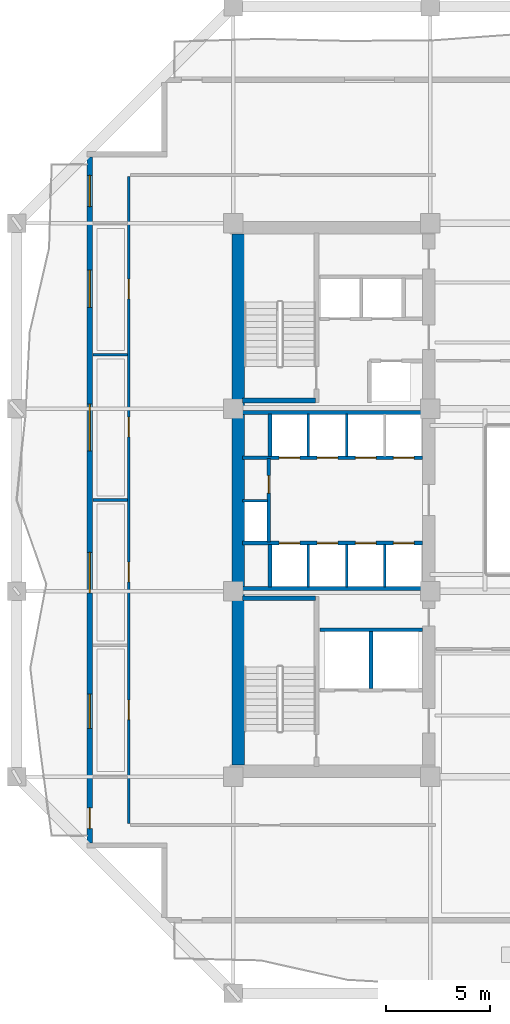
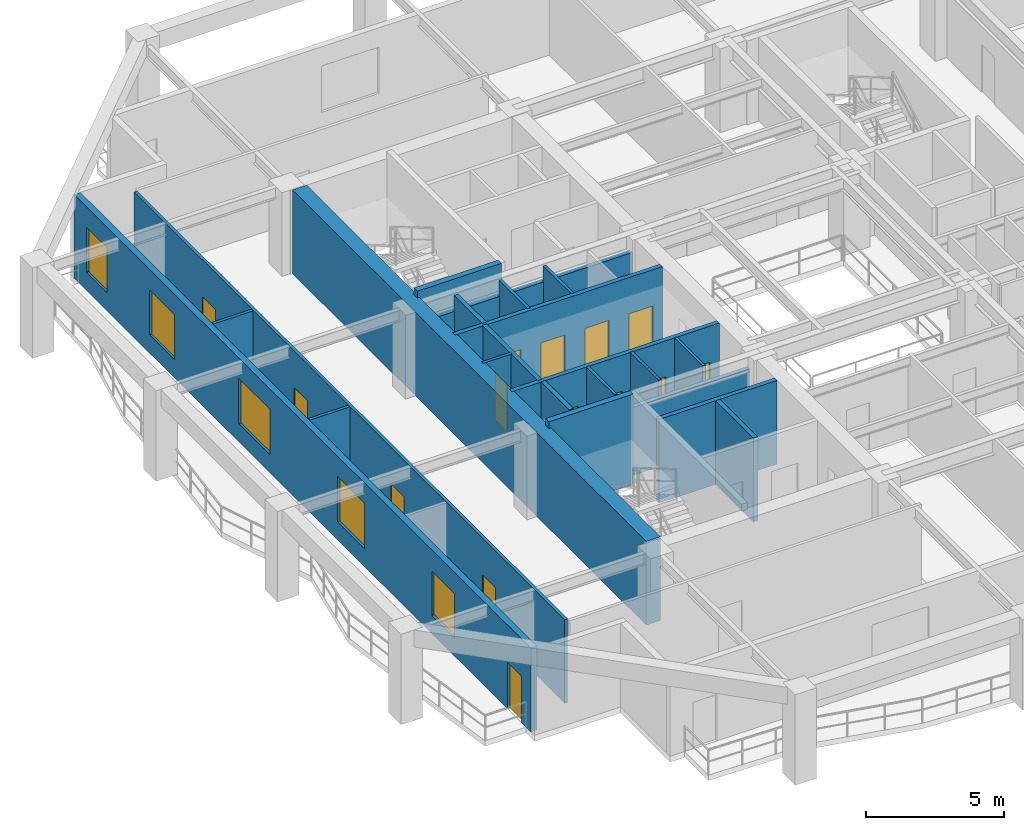
# One storey, part 3 of 11: 22 walls, 14 doors, 5 windows, 19 openings.
"""IFC4 building model written with IfcOpenShell, lengths in metres."""

from ifc_helpers import new_model, si_unit, direction, frame, frame_2d, origin, place, context, subcontext, project, spatial, rectangle, extrude, material, layer, layer_set, type_object, element, fill, save


model = new_model("IFC4")

# Units and contexts
model_context = context("Model", 3, precision=1e-05, world=origin(), true_north=direction((0.0, 1.0)))
body_context = subcontext(model_context, "Body", "Model", "MODEL_VIEW")
ifc_project = project(units=[si_unit("LENGTHUNIT", "METRE"), si_unit("AREAUNIT", "SQUARE_METRE"), si_unit("VOLUMEUNIT", "CUBIC_METRE"), si_unit("PLANEANGLEUNIT", "RADIAN"), si_unit("MASSUNIT", "GRAM", prefix="KILO")], contexts=[model_context])

# Site, building, storey
site_placement = place(None, origin())
site = spatial("IfcSite", under=ifc_project, at=site_placement, CompositionType="ELEMENT")
building_placement = place(site_placement, origin())
building = spatial("IfcBuilding", under=site, at=building_placement, Name="Kundavana Baori Tower", CompositionType="ELEMENT")
storey_placement = place(building_placement, frame((0.0, 0.0, 90.0)))
storey = spatial("IfcBuildingStorey", under=building, at=storey_placement, Name="L21", CompositionType="ELEMENT", Elevation=90.0)

# Walls
ifc_material_1 = material(Name="Concrete C50/60", Category="concrete")
ifc_layer_1 = layer(ifc_material_1, 0.39990234375, Name="WL-CORE-400")
ifc_layer_set_1 = layer_set([ifc_layer_1], Name="Concrete C50/60")
wall_type_1 = type_object("IfcWallType", Name="WL-CORE-400", PredefinedType="SHEAR", material=ifc_layer_set_1)
for number, where, z_axis, x_axis, name in (
    (1, (15.89990234375, 23.860107421875, 0.0), (0.0, 0.0, 1.0), (1.0, 0.0, 0.0), "WL-L21-ST1-N"),
    (2, (15.89990234375, 33.389892578125, 0.0), (0.0, 0.0, 1.0), (1.0, 0.0, 0.0), "WL-L21-ST2-S"),
):
    element("IfcWall", number, at=place(storey_placement, frame(where, z_axis=z_axis, x_axis=x_axis)), inside=storey, type_object=wall_type_1, Name=name, PredefinedType="SHEAR", context=body_context, shape_type="SweptSolid", body=[
        extrude(rectangle(XDim=3.52001953125, YDim=0.239990234375, at=frame_2d((1.760009765625, 0.0))), origin(), (0.0, 0.0, 1.0), 4.0),
    ])
ifc_material_2 = material(Name="Concrete C60/75", Category="concrete")
ifc_layer_2 = layer(ifc_material_2, 0.60009765625, Name="WL-CORE-600")
ifc_layer_set_2 = layer_set([ifc_layer_2], Name="Concrete C60/75")
wall_type_2 = type_object("IfcWallType", Name="WL-CORE-600", PredefinedType="SHEAR", material=ifc_layer_set_2)
wall_1_placement = place(storey_placement, frame((15.68994140625, 15.81005859375, 0.0), z_axis=(0.0, 0.0, 1.0), x_axis=(0.0, 1.0, 0.0)))
element("IfcWall", 3, at=wall_1_placement, inside=storey, type_object=wall_type_2, Name="L21 Offset Core West Shear Wall", PredefinedType="SHEAR", context=body_context, shape_type="SweptSolid", body=[
    extrude(rectangle(XDim=25.6298828125, YDim=0.60009765625, at=frame_2d((12.81494140625, 0.0))), origin(), (0.0, 0.0, 1.0), 3.699951171875),
])

# Wall, openings, door, windows
ifc_material_3 = material(Name="Kiln-Fired Terracotta Brick-Slip Masonry on Concrete C40/50", Category="masonry")
ifc_layer_3 = layer(ifc_material_3, 0.260009765625, Name="WL-EXT-BRK-260")
ifc_layer_set_3 = layer_set([ifc_layer_3], Name="Kiln-Fired Terracotta Brick-Slip Masonry on Concrete C40/50")
wall_type_3 = type_object("IfcWallType", Name="WL-EXT-BRK-260", PredefinedType="SOLIDWALL", material=ifc_layer_set_3)
wall_2_placement = place(storey_placement, frame((8.530029296875, 45.139892578125, 0.0), z_axis=(0.0, 0.0, 1.0), x_axis=(0.0, -1.0, 0.0)))
wall_2 = element("IfcWall", 4, at=wall_2_placement, inside=storey, type_object=wall_type_3, Name="L21 Exterior Insulated Facade Wall 10", PredefinedType="SOLIDWALL", context=body_context, shape_type="SweptSolid", body=[
    extrude(rectangle(XDim=33.079833984375, YDim=0.260009765625, at=frame_2d((16.5400390625, 0.0))), origin(), (0.0, 0.0, 1.0), 3.699951171875),
])
opening_1_placement = place(wall_2_placement, frame((31.389892578125, 0.0, 0.0)))
opening_1 = element("IfcOpeningElement", 5, at=opening_1_placement, cuts=wall_2, Name="Opening BD-1", PredefinedType="OPENING", context=body_context, shape_type="SweptSolid", body=[
    extrude(rectangle(XDim=1.0, YDim=2.050048828125, at=frame_2d((0.5, 1.02490234375))), frame((0.0, 0.14013671875, 0.0), z_axis=(0.0, -1.0, 0.0), x_axis=(1.0, 0.0, 0.0)), (0.0, 0.0, 1.0), 0.280029296875),
])
opening_2_placement = place(wall_2_placement, frame((25.905029296875, 0.0, 0.800048828125)))
opening_2 = element("IfcOpeningElement", 6, at=opening_2_placement, cuts=wall_2, Name="Opening W-08", PredefinedType="OPENING", context=body_context, shape_type="SweptSolid", body=[
    extrude(rectangle(XDim=1.64990234375, YDim=1.949951171875, at=frame_2d((0.824951171875, 0.97509765625))), frame((0.0, 0.14013671875, 0.0), z_axis=(0.0, -1.0, 0.0), x_axis=(1.0, 0.0, 0.0)), (0.0, 0.0, 1.0), 0.280029296875),
])
opening_3_placement = place(wall_2_placement, frame((19.06494140625, 0.0, 0.800048828125)))
opening_3 = element("IfcOpeningElement", 7, at=opening_3_placement, cuts=wall_2, Name="Opening W-09", PredefinedType="OPENING", context=body_context, shape_type="SweptSolid", body=[
    extrude(rectangle(XDim=1.949951171875, YDim=2.0, at=frame_2d((0.97509765625, 1.0))), frame((0.0, 0.14013671875, 0.0), z_axis=(0.0, -1.0, 0.0), x_axis=(1.0, 0.0, 0.0)), (0.0, 0.0, 1.0), 0.280029296875),
])
opening_4_placement = place(wall_2_placement, frame((11.9150390625, 0.0, 0.800048828125)))
opening_4 = element("IfcOpeningElement", 8, at=opening_4_placement, cuts=wall_2, Name="Opening W-10", PredefinedType="OPENING", context=body_context, shape_type="SweptSolid", body=[
    extrude(rectangle(XDim=2.25, YDim=2.0, at=frame_2d((1.125, 1.0))), frame((0.0, 0.14013671875, 0.0), z_axis=(0.0, -1.0, 0.0), x_axis=(1.0, 0.0, 0.0)), (0.0, 0.0, 1.0), 0.280029296875),
])
opening_5_placement = place(wall_2_placement, frame((5.449951171875, 0.0, 0.800048828125)))
opening_5 = element("IfcOpeningElement", 9, at=opening_5_placement, cuts=wall_2, Name="Opening W-01", PredefinedType="OPENING", context=body_context, shape_type="SweptSolid", body=[
    extrude(rectangle(XDim=1.800048828125, YDim=2.0, at=frame_2d((0.89990234375, 1.0))), frame((0.0, 0.14013671875, 0.0), z_axis=(0.0, -1.0, 0.0), x_axis=(1.0, 0.0, 0.0)), (0.0, 0.0, 1.0), 0.280029296875),
])
opening_6_placement = place(wall_2_placement, frame((0.885009765625, 0.0, 0.800048828125)))
opening_6 = element("IfcOpeningElement", 10, at=opening_6_placement, cuts=wall_2, Name="Opening W-02", PredefinedType="OPENING", context=body_context, shape_type="SweptSolid", body=[
    extrude(rectangle(XDim=1.5, YDim=2.0, at=frame_2d((0.75, 1.0))), frame((0.0, 0.14013671875, 0.0), z_axis=(0.0, -1.0, 0.0), x_axis=(1.0, 0.0, 0.0)), (0.0, 0.0, 1.0), 0.280029296875),
])
ifc_material_4 = material(Name="Architectural Patinated Bronze Metalwork")
door_type_1 = type_object("IfcDoorType", Name="DR-EXT-LOG-1000", OperationType="NOTDEFINED", PredefinedType="DOOR", material=ifc_material_4)
door_1_placement = place(opening_1_placement, frame((1.0, 0.0, 0.0), z_axis=(0.0, 0.0, 1.0), x_axis=(-1.0, 0.0, 0.0)))
door_1 = element("IfcDoor", 11, at=door_1_placement, inside=storey, type_object=door_type_1, Name="L21 Loggia Balcony Access Door W", OperationType="SINGLE_SWING_RIGHT", OverallHeight=2.050048828125, OverallWidth=1.0, PredefinedType="DOOR", context=body_context, shape_type="SweptSolid", body=[
    extrude(rectangle(XDim=1.0, YDim=2.050048828125, at=frame_2d((0.5, 1.02490234375))), frame((0.0, 0.02490234375, 0.0), z_axis=(0.0, -1.0, 0.0), x_axis=(1.0, 0.0, 0.0)), (0.0, 0.0, 1.0), 0.050048828125),
])
fill(opening_1, door_1)
ifc_material_5 = material(Name="Double-Glazed Solar-Control Low-E Insulated Glass", Category="glass")
window_type_1 = type_object("IfcWindowType", Name="WIN-LOG-1500x2000", PartitioningType="SINGLE_PANEL", PredefinedType="WINDOW", material=ifc_material_5)
window_1_placement = place(opening_6_placement, origin())
window_1 = element("IfcWindow", 12, at=window_1_placement, inside=storey, type_object=window_type_1, Name="L21 Recessed Loggia Window W-6", OverallHeight=2.0, OverallWidth=1.5, PartitioningType="SINGLE_PANEL", PredefinedType="WINDOW", context=body_context, shape_type="SweptSolid", body=[
    extrude(rectangle(XDim=1.5, YDim=2.0, at=frame_2d((0.75, 1.0))), frame((0.0, 0.030029296875, 0.0), z_axis=(0.0, -1.0, 0.0), x_axis=(1.0, 0.0, 0.0)), (0.0, 0.0, 1.0), 0.06005859375),
])
fill(opening_6, window_1)
ifc_material_6 = material(Name="Double-Glazed Solar-Control Low-E Insulated Glass", Category="glass")
window_type_2 = type_object("IfcWindowType", Name="WIN-LOG-1650x1950", PartitioningType="SINGLE_PANEL", PredefinedType="WINDOW", material=ifc_material_6)
window_2_placement = place(opening_2_placement, origin())
window_2 = element("IfcWindow", 13, at=window_2_placement, inside=storey, type_object=window_type_2, Name="L21 Recessed Loggia Window W-2", OverallHeight=1.949951171875, OverallWidth=1.64990234375, PartitioningType="SINGLE_PANEL", PredefinedType="WINDOW", context=body_context, shape_type="SweptSolid", body=[
    extrude(rectangle(XDim=1.64990234375, YDim=1.949951171875, at=frame_2d((0.824951171875, 0.97509765625))), frame((0.0, 0.030029296875, 0.0), z_axis=(0.0, -1.0, 0.0), x_axis=(1.0, 0.0, 0.0)), (0.0, 0.0, 1.0), 0.06005859375),
])
fill(opening_2, window_2)
ifc_material_7 = material(Name="Double-Glazed Solar-Control Low-E Insulated Glass", Category="glass")
window_type_3 = type_object("IfcWindowType", Name="WIN-LOG-1800x2000", PartitioningType="SINGLE_PANEL", PredefinedType="WINDOW", material=ifc_material_7)
window_3_placement = place(opening_5_placement, origin())
window_3 = element("IfcWindow", 14, at=window_3_placement, inside=storey, type_object=window_type_3, Name="L21 Recessed Loggia Window W-5", OverallHeight=2.0, OverallWidth=1.800048828125, PartitioningType="SINGLE_PANEL", PredefinedType="WINDOW", context=body_context, shape_type="SweptSolid", body=[
    extrude(rectangle(XDim=1.800048828125, YDim=2.0, at=frame_2d((0.89990234375, 1.0))), frame((0.0, 0.030029296875, 0.0), z_axis=(0.0, -1.0, 0.0), x_axis=(1.0, 0.0, 0.0)), (0.0, 0.0, 1.0), 0.06005859375),
])
fill(opening_5, window_3)
ifc_material_8 = material(Name="Double-Glazed Solar-Control Low-E Insulated Glass", Category="glass")
window_type_4 = type_object("IfcWindowType", Name="WIN-LOG-1950x2000", PartitioningType="SINGLE_PANEL", PredefinedType="WINDOW", material=ifc_material_8)
window_4_placement = place(opening_3_placement, origin())
window_4 = element("IfcWindow", 15, at=window_4_placement, inside=storey, type_object=window_type_4, Name="L21 Recessed Loggia Window W-3", OverallHeight=2.0, OverallWidth=1.949951171875, PartitioningType="SINGLE_PANEL", PredefinedType="WINDOW", context=body_context, shape_type="SweptSolid", body=[
    extrude(rectangle(XDim=1.949951171875, YDim=2.0, at=frame_2d((0.97509765625, 1.0))), frame((0.0, 0.030029296875, 0.0), z_axis=(0.0, -1.0, 0.0), x_axis=(1.0, 0.0, 0.0)), (0.0, 0.0, 1.0), 0.06005859375),
])
fill(opening_3, window_4)
ifc_material_9 = material(Name="Double-Glazed Solar-Control Low-E Insulated Glass", Category="glass")
window_type_5 = type_object("IfcWindowType", Name="WIN-LOG-2250x2000", PartitioningType="SINGLE_PANEL", PredefinedType="WINDOW", material=ifc_material_9)
window_5_placement = place(opening_4_placement, origin())
window_5 = element("IfcWindow", 16, at=window_5_placement, inside=storey, type_object=window_type_5, Name="L21 Recessed Loggia Window W-4", OverallHeight=2.0, OverallWidth=2.25, PartitioningType="SINGLE_PANEL", PredefinedType="WINDOW", context=body_context, shape_type="SweptSolid", body=[
    extrude(rectangle(XDim=2.25, YDim=2.0, at=frame_2d((1.125, 1.0))), frame((0.0, 0.030029296875, 0.0), z_axis=(0.0, -1.0, 0.0), x_axis=(1.0, 0.0, 0.0)), (0.0, 0.0, 1.0), 0.06005859375),
])
fill(opening_4, window_5)

# Walls
ifc_material_10 = material(Name="Acoustic Gypsum Plasterboard on Galvanised Steel Studs", Category="steel")
ifc_layer_4 = layer(ifc_material_10, 0.1201171875, Name="WL-PART-120")
ifc_layer_set_4 = layer_set([ifc_layer_4], Name="Acoustic Gypsum Plasterboard on Galvanised Steel Studs")
wall_type_4 = type_object("IfcWallType", Name="WL-PART-120", PredefinedType="PARTITIONING", material=ifc_layer_set_4)
for number, where, z_axis, x_axis, name in (
    (17, (19.080078125, 24.39990234375, 0.0), (0.0, 0.0, 1.0), (0.0, 1.0, 0.0), "WL-L21-LPLOW-D1"),
    (18, (20.919921875, 24.39990234375, 0.0), (0.0, 0.0, 1.0), (0.0, 1.0, 0.0), "WL-L21-LPLOW-D2"),
    (19, (22.760009765625, 24.39990234375, 0.0), (0.0, 0.0, 1.0), (0.0, 1.0, 0.0), "WL-L21-LPLOW-D3"),
):
    element("IfcWall", number, at=place(storey_placement, frame(where, z_axis=z_axis, x_axis=x_axis)), inside=storey, type_object=wall_type_4, Name=name, PredefinedType="PARTITIONING", context=body_context, shape_type="SweptSolid", body=[
        extrude(rectangle(XDim=2.050048828125, YDim=0.1201171875, at=frame_2d((1.02490234375, 0.0))), origin(), (0.0, 0.0, 1.0), 3.699951171875),
    ])
wall_3_placement = place(storey_placement, frame((15.89990234375, 28.56005859375, 0.0), z_axis=(0.0, 0.0, 1.0), x_axis=(1.0, 0.0, 0.0)))
element("IfcWall", 20, at=wall_3_placement, inside=storey, type_object=wall_type_4, Name="WL-L21-RSRW-N", PredefinedType="PARTITIONING", context=body_context, shape_type="SweptSolid", body=[
    extrude(rectangle(XDim=1.2001953125, YDim=0.1201171875, at=frame_2d((0.60009765625, 0.0))), origin(), (0.0, 0.0, 1.0), 3.699951171875),
])
for number, where, z_axis, x_axis, name in (
    (21, (19.080078125, 30.699951171875, 0.0), (0.0, 0.0, 1.0), (0.0, 1.0, 0.0), "WL-L21-LPMID-D1"),
    (22, (20.919921875, 30.699951171875, 0.0), (0.0, 0.0, 1.0), (0.0, 1.0, 0.0), "WL-L21-LPMID-D2"),
):
    element("IfcWall", number, at=place(storey_placement, frame(where, z_axis=z_axis, x_axis=x_axis)), inside=storey, type_object=wall_type_4, Name=name, PredefinedType="PARTITIONING", context=body_context, shape_type="SweptSolid", body=[
        extrude(rectangle(XDim=2.050048828125, YDim=0.1201171875, at=frame_2d((1.02490234375, 0.0))), origin(), (0.0, 0.0, 1.0), 3.699951171875),
    ])
ifc_material_11 = material(Name="Autoclaved Aerated Concrete Blockwork Masonry", Category="masonry")
ifc_layer_5 = layer(ifc_material_11, 0.179931640625, Name="WL-SHAFT-180")
ifc_layer_set_5 = layer_set([ifc_layer_5], Name="Autoclaved Aerated Concrete Blockwork Masonry")
wall_type_5 = type_object("IfcWallType", Name="WL-SHAFT-180", PredefinedType="SOLIDWALL", material=ifc_layer_set_5)
wall_4_placement = place(storey_placement, frame((22.10009765625, 19.510009765625, 0.0), z_axis=(0.0, 0.0, 1.0), x_axis=(0.0, 1.0, 0.0)))
element("IfcWall", 23, at=wall_4_placement, inside=storey, type_object=wall_type_5, Name="WL-L21-FFL-MID", PredefinedType="SOLIDWALL", context=body_context, shape_type="SweptSolid", body=[
    extrude(rectangle(XDim=2.739990234375, YDim=0.179931640625, at=frame_2d((1.3701171875, 0.0))), origin(), (0.0, 0.0, 1.0), 3.699951171875),
])
wall_5_placement = place(storey_placement, frame((19.639892578125, 22.340087890625, 0.0), z_axis=(0.0, 0.0, 1.0), x_axis=(1.0, 0.0, 0.0)))
element("IfcWall", 24, at=wall_5_placement, inside=storey, type_object=wall_type_5, Name="WL-L21-FFL-N", PredefinedType="SOLIDWALL", context=body_context, shape_type="SweptSolid", body=[
    extrude(rectangle(XDim=4.940185546875, YDim=0.179931640625, at=frame_2d((2.47021484375, 0.0))), origin(), (0.0, 0.0, 1.0), 3.699951171875),
])

# Wall, openings, doors
wall_6_placement = place(storey_placement, frame((15.89990234375, 26.52001953125, 0.0), z_axis=(0.0, 0.0, 1.0), x_axis=(1.0, 0.0, 0.0)))
wall_6 = element("IfcWall", 25, at=wall_6_placement, inside=storey, type_object=wall_type_5, Name="WL-L21-LPLOW-N", PredefinedType="SOLIDWALL", context=body_context, shape_type="SweptSolid", body=[
    extrude(rectangle(XDim=8.68017578125, YDim=0.179931640625, at=frame_2d((4.340087890625, 0.0))), origin(), (0.0, 0.0, 1.0), 3.699951171875),
])
opening_7_placement = place(wall_6_placement, frame((1.760009765625, 0.0, 0.0)))
opening_7 = element("IfcOpeningElement", 26, at=opening_7_placement, cuts=wall_6, Name="Opening LD-100", PredefinedType="OPENING", context=body_context, shape_type="SweptSolid", body=[
    extrude(rectangle(XDim=1.0, YDim=2.10009765625, at=frame_2d((0.5, 1.050048828125))), frame((0.0, 0.10009765625, 0.0), z_axis=(0.0, -1.0, 0.0), x_axis=(1.0, 0.0, 0.0)), (0.0, 0.0, 1.0), 0.199951171875),
])
opening_8_placement = place(wall_6_placement, frame((3.60009765625, 0.0, 0.0)))
opening_8 = element("IfcOpeningElement", 27, at=opening_8_placement, cuts=wall_6, Name="Opening LD-100", PredefinedType="OPENING", context=body_context, shape_type="SweptSolid", body=[
    extrude(rectangle(XDim=1.0, YDim=2.10009765625, at=frame_2d((0.5, 1.050048828125))), frame((0.0, 0.10009765625, 0.0), z_axis=(0.0, -1.0, 0.0), x_axis=(1.0, 0.0, 0.0)), (0.0, 0.0, 1.0), 0.199951171875),
])
opening_9_placement = place(wall_6_placement, frame((5.43994140625, 0.0, 0.0)))
opening_9 = element("IfcOpeningElement", 28, at=opening_9_placement, cuts=wall_6, Name="Opening LD-100", PredefinedType="OPENING", context=body_context, shape_type="SweptSolid", body=[
    extrude(rectangle(XDim=1.0, YDim=2.10009765625, at=frame_2d((0.5, 1.050048828125))), frame((0.0, 0.10009765625, 0.0), z_axis=(0.0, -1.0, 0.0), x_axis=(1.0, 0.0, 0.0)), (0.0, 0.0, 1.0), 0.199951171875),
])
opening_10_placement = place(wall_6_placement, frame((7.280029296875, 0.0, 0.0)))
opening_10 = element("IfcOpeningElement", 29, at=opening_10_placement, cuts=wall_6, Name="Opening LD-100", PredefinedType="OPENING", context=body_context, shape_type="SweptSolid", body=[
    extrude(rectangle(XDim=1.0, YDim=2.10009765625, at=frame_2d((0.5, 1.050048828125))), frame((0.0, 0.10009765625, 0.0), z_axis=(0.0, -1.0, 0.0), x_axis=(1.0, 0.0, 0.0)), (0.0, 0.0, 1.0), 0.199951171875),
])
ifc_material_12 = material(Name="Galvanised Steel Fire-Rated Door Leaf", Category="steel")
door_type_2 = type_object("IfcDoorType", Name="DR-SLIDE-LD1000", OperationType="NOTDEFINED", PredefinedType="DOOR", material=ifc_material_12)
door_2_placement = place(opening_7_placement, origin())
door_2 = element("IfcDoor", 30, at=door_2_placement, inside=storey, type_object=door_type_2, Name="DR-L21-LD-LP-01", OperationType="DOUBLE_DOOR_SLIDING", OverallHeight=2.10009765625, OverallWidth=1.0, PredefinedType="DOOR", context=body_context, shape_type="SweptSolid", body=[
    extrude(rectangle(XDim=1.0, YDim=2.10009765625, at=frame_2d((0.5, 1.050048828125))), frame((0.0, 0.02490234375, 0.0), z_axis=(0.0, -1.0, 0.0), x_axis=(1.0, 0.0, 0.0)), (0.0, 0.0, 1.0), 0.050048828125),
])
fill(opening_7, door_2)
door_3_placement = place(opening_8_placement, origin())
door_3 = element("IfcDoor", 31, at=door_3_placement, inside=storey, type_object=door_type_2, Name="DR-L21-LD-LP-02", OperationType="DOUBLE_DOOR_SLIDING", OverallHeight=2.10009765625, OverallWidth=1.0, PredefinedType="DOOR", context=body_context, shape_type="SweptSolid", body=[
    extrude(rectangle(XDim=1.0, YDim=2.10009765625, at=frame_2d((0.5, 1.050048828125))), frame((0.0, 0.02490234375, 0.0), z_axis=(0.0, -1.0, 0.0), x_axis=(1.0, 0.0, 0.0)), (0.0, 0.0, 1.0), 0.050048828125),
])
fill(opening_8, door_3)
door_4_placement = place(opening_9_placement, origin())
door_4 = element("IfcDoor", 32, at=door_4_placement, inside=storey, type_object=door_type_2, Name="DR-L21-LD-LP-03", OperationType="DOUBLE_DOOR_SLIDING", OverallHeight=2.10009765625, OverallWidth=1.0, PredefinedType="DOOR", context=body_context, shape_type="SweptSolid", body=[
    extrude(rectangle(XDim=1.0, YDim=2.10009765625, at=frame_2d((0.5, 1.050048828125))), frame((0.0, 0.02490234375, 0.0), z_axis=(0.0, -1.0, 0.0), x_axis=(1.0, 0.0, 0.0)), (0.0, 0.0, 1.0), 0.050048828125),
])
fill(opening_9, door_4)
door_5_placement = place(opening_10_placement, origin())
door_5 = element("IfcDoor", 33, at=door_5_placement, inside=storey, type_object=door_type_2, Name="DR-L21-LD-LP-04", OperationType="DOUBLE_DOOR_SLIDING", OverallHeight=2.10009765625, OverallWidth=1.0, PredefinedType="DOOR", context=body_context, shape_type="SweptSolid", body=[
    extrude(rectangle(XDim=1.0, YDim=2.10009765625, at=frame_2d((0.5, 1.050048828125))), frame((0.0, 0.02490234375, 0.0), z_axis=(0.0, -1.0, 0.0), x_axis=(1.0, 0.0, 0.0)), (0.0, 0.0, 1.0), 0.050048828125),
])
fill(opening_10, door_5)

# Walls
wall_7_placement = place(storey_placement, frame((15.89990234375, 24.330078125, 0.0), z_axis=(0.0, 0.0, 1.0), x_axis=(1.0, 0.0, 0.0)))
element("IfcWall", 34, at=wall_7_placement, inside=storey, type_object=wall_type_5, Name="WL-L21-LPLOW-S", PredefinedType="SOLIDWALL", context=body_context, shape_type="SweptSolid", body=[
    extrude(rectangle(XDim=8.68017578125, YDim=0.179931640625, at=frame_2d((4.340087890625, 0.0))), origin(), (0.0, 0.0, 1.0), 3.0),
])
wall_8_placement = place(storey_placement, frame((17.219970703125, 24.39990234375, 0.0), z_axis=(0.0, 0.0, 1.0), x_axis=(0.0, 1.0, 0.0)))
element("IfcWall", 35, at=wall_8_placement, inside=storey, type_object=wall_type_5, Name="WL-L21-LPLOW-W", PredefinedType="SOLIDWALL", context=body_context, shape_type="SweptSolid", body=[
    extrude(rectangle(XDim=2.050048828125, YDim=0.179931640625, at=frame_2d((1.02490234375, 0.0))), origin(), (0.0, 0.0, 1.0), 3.699951171875),
])

# Wall, opening, door
wall_9_placement = place(storey_placement, frame((17.159912109375, 26.580078125, 0.0), z_axis=(0.0, 0.0, 1.0), x_axis=(0.0, 1.0, 0.0)))
wall_9 = element("IfcWall", 36, at=wall_9_placement, inside=storey, type_object=wall_type_5, Name="WL-L21-RSRW-E", PredefinedType="SOLIDWALL", context=body_context, shape_type="SweptSolid", body=[
    extrude(rectangle(XDim=4.02001953125, YDim=0.179931640625, at=frame_2d((2.010009765625, 0.0))), origin(), (0.0, 0.0, 1.0), 3.699951171875),
])
opening_11_placement = place(wall_9_placement, frame((2.35009765625, 0.0, 0.0)))
opening_11 = element("IfcOpeningElement", 37, at=opening_11_placement, cuts=wall_9, Name="Opening FD-085", PredefinedType="OPENING", context=body_context, shape_type="SweptSolid", body=[
    extrude(rectangle(XDim=0.85009765625, YDim=2.06005859375, at=frame_2d((0.425048828125, 1.030029296875))), frame((0.0, 0.10009765625, 0.0), z_axis=(0.0, -1.0, 0.0), x_axis=(1.0, 0.0, 0.0)), (0.0, 0.0, 1.0), 0.199951171875),
])
ifc_material_13 = material(Name="Galvanised Steel Fire-Rated Door Leaf", Category="steel")
door_type_3 = type_object("IfcDoorType", Name="DR-FD60-850", OperationType="NOTDEFINED", PredefinedType="DOOR", material=ifc_material_13)
door_6_placement = place(opening_11_placement, origin())
door_6 = element("IfcDoor", 38, at=door_6_placement, inside=storey, type_object=door_type_3, Name="DR-L21-CLN", OperationType="SINGLE_SWING_RIGHT", OverallHeight=2.06005859375, OverallWidth=0.85009765625, PredefinedType="DOOR", context=body_context, shape_type="SweptSolid", body=[
    extrude(rectangle(XDim=0.85009765625, YDim=2.06005859375, at=frame_2d((0.425048828125, 1.030029296875))), frame((0.0, 0.02490234375, 0.0), z_axis=(0.0, -1.0, 0.0), x_axis=(1.0, 0.0, 0.0)), (0.0, 0.0, 1.0), 0.050048828125),
])
fill(opening_11, door_6)

# Wall, openings, doors
wall_10_placement = place(storey_placement, frame((15.89990234375, 30.639892578125, 0.0), z_axis=(0.0, 0.0, 1.0), x_axis=(1.0, 0.0, 0.0)))
wall_10 = element("IfcWall", 39, at=wall_10_placement, inside=storey, type_object=wall_type_5, Name="WL-L21-LPMID-S", PredefinedType="SOLIDWALL", context=body_context, shape_type="SweptSolid", body=[
    extrude(rectangle(XDim=8.68017578125, YDim=0.179931640625, at=frame_2d((4.340087890625, 0.0))), origin(), (0.0, 0.0, 1.0), 3.699951171875),
])
opening_12_placement = place(wall_10_placement, frame((1.760009765625, 0.0, 0.0)))
opening_12 = element("IfcOpeningElement", 40, at=opening_12_placement, cuts=wall_10, Name="Opening LD-100", PredefinedType="OPENING", context=body_context, shape_type="SweptSolid", body=[
    extrude(rectangle(XDim=1.0, YDim=2.10009765625, at=frame_2d((0.5, 1.050048828125))), frame((0.0, 0.10009765625, 0.0), z_axis=(0.0, -1.0, 0.0), x_axis=(1.0, 0.0, 0.0)), (0.0, 0.0, 1.0), 0.199951171875),
])
opening_13_placement = place(wall_10_placement, frame((3.60009765625, 0.0, 0.0)))
opening_13 = element("IfcOpeningElement", 41, at=opening_13_placement, cuts=wall_10, Name="Opening LD-100", PredefinedType="OPENING", context=body_context, shape_type="SweptSolid", body=[
    extrude(rectangle(XDim=1.0, YDim=2.10009765625, at=frame_2d((0.5, 1.050048828125))), frame((0.0, 0.10009765625, 0.0), z_axis=(0.0, -1.0, 0.0), x_axis=(1.0, 0.0, 0.0)), (0.0, 0.0, 1.0), 0.199951171875),
])
opening_14_placement = place(wall_10_placement, frame((5.43994140625, 0.0, 0.0)))
opening_14 = element("IfcOpeningElement", 42, at=opening_14_placement, cuts=wall_10, Name="Opening LD-100", PredefinedType="OPENING", context=body_context, shape_type="SweptSolid", body=[
    extrude(rectangle(XDim=1.0, YDim=2.10009765625, at=frame_2d((0.5, 1.050048828125))), frame((0.0, 0.10009765625, 0.0), z_axis=(0.0, -1.0, 0.0), x_axis=(1.0, 0.0, 0.0)), (0.0, 0.0, 1.0), 0.199951171875),
])
opening_15_placement = place(wall_10_placement, frame((7.280029296875, 0.0, 0.0)))
opening_15 = element("IfcOpeningElement", 43, at=opening_15_placement, cuts=wall_10, Name="Opening LD-100", PredefinedType="OPENING", context=body_context, shape_type="SweptSolid", body=[
    extrude(rectangle(XDim=1.0, YDim=2.10009765625, at=frame_2d((0.5, 1.050048828125))), frame((0.0, 0.10009765625, 0.0), z_axis=(0.0, -1.0, 0.0), x_axis=(1.0, 0.0, 0.0)), (0.0, 0.0, 1.0), 0.199951171875),
])
door_7_placement = place(opening_12_placement, frame((1.0, 0.0, 0.0), z_axis=(0.0, 0.0, 1.0), x_axis=(-1.0, 0.0, 0.0)))
door_7 = element("IfcDoor", 44, at=door_7_placement, inside=storey, type_object=door_type_2, Name="DR-L21-LD-LP-05", OperationType="DOUBLE_DOOR_SLIDING", OverallHeight=2.10009765625, OverallWidth=1.0, PredefinedType="DOOR", context=body_context, shape_type="SweptSolid", body=[
    extrude(rectangle(XDim=1.0, YDim=2.10009765625, at=frame_2d((0.5, 1.050048828125))), frame((0.0, 0.02490234375, 0.0), z_axis=(0.0, -1.0, 0.0), x_axis=(1.0, 0.0, 0.0)), (0.0, 0.0, 1.0), 0.050048828125),
])
fill(opening_12, door_7)
door_8_placement = place(opening_13_placement, frame((1.0, 0.0, 0.0), z_axis=(0.0, 0.0, 1.0), x_axis=(-1.0, 0.0, 0.0)))
door_8 = element("IfcDoor", 45, at=door_8_placement, inside=storey, type_object=door_type_2, Name="DR-L21-LD-LP-06", OperationType="DOUBLE_DOOR_SLIDING", OverallHeight=2.10009765625, OverallWidth=1.0, PredefinedType="DOOR", context=body_context, shape_type="SweptSolid", body=[
    extrude(rectangle(XDim=1.0, YDim=2.10009765625, at=frame_2d((0.5, 1.050048828125))), frame((0.0, 0.02490234375, 0.0), z_axis=(0.0, -1.0, 0.0), x_axis=(1.0, 0.0, 0.0)), (0.0, 0.0, 1.0), 0.050048828125),
])
fill(opening_13, door_8)
door_9_placement = place(opening_14_placement, frame((1.0, 0.0, 0.0), z_axis=(0.0, 0.0, 1.0), x_axis=(-1.0, 0.0, 0.0)))
door_9 = element("IfcDoor", 46, at=door_9_placement, inside=storey, type_object=door_type_2, Name="DR-L21-LD-LP-07", OperationType="DOUBLE_DOOR_SLIDING", OverallHeight=2.10009765625, OverallWidth=1.0, PredefinedType="DOOR", context=body_context, shape_type="SweptSolid", body=[
    extrude(rectangle(XDim=1.0, YDim=2.10009765625, at=frame_2d((0.5, 1.050048828125))), frame((0.0, 0.02490234375, 0.0), z_axis=(0.0, -1.0, 0.0), x_axis=(1.0, 0.0, 0.0)), (0.0, 0.0, 1.0), 0.050048828125),
])
fill(opening_14, door_9)
door_10_placement = place(opening_15_placement, frame((1.0, 0.0, 0.0), z_axis=(0.0, 0.0, 1.0), x_axis=(-1.0, 0.0, 0.0)))
door_10 = element("IfcDoor", 47, at=door_10_placement, inside=storey, type_object=door_type_2, Name="DR-L21-LD-LP-08", OperationType="DOUBLE_DOOR_SLIDING", OverallHeight=2.10009765625, OverallWidth=1.0, PredefinedType="DOOR", context=body_context, shape_type="SweptSolid", body=[
    extrude(rectangle(XDim=1.0, YDim=2.10009765625, at=frame_2d((0.5, 1.050048828125))), frame((0.0, 0.02490234375, 0.0), z_axis=(0.0, -1.0, 0.0), x_axis=(1.0, 0.0, 0.0)), (0.0, 0.0, 1.0), 0.050048828125),
])
fill(opening_15, door_10)

# Walls
wall_11_placement = place(storey_placement, frame((15.89990234375, 32.820068359375, 0.0), z_axis=(0.0, 0.0, 1.0), x_axis=(1.0, 0.0, 0.0)))
element("IfcWall", 48, at=wall_11_placement, inside=storey, type_object=wall_type_5, Name="WL-L21-LPMID-N", PredefinedType="SOLIDWALL", context=body_context, shape_type="SweptSolid", body=[
    extrude(rectangle(XDim=8.68017578125, YDim=0.179931640625, at=frame_2d((4.340087890625, 0.0))), origin(), (0.0, 0.0, 1.0), 3.0),
])
wall_12_placement = place(storey_placement, frame((17.219970703125, 30.699951171875, 0.0), z_axis=(0.0, 0.0, 1.0), x_axis=(0.0, 1.0, 0.0)))
element("IfcWall", 49, at=wall_12_placement, inside=storey, type_object=wall_type_5, Name="WL-L21-LPMID-W", PredefinedType="SOLIDWALL", context=body_context, shape_type="SweptSolid", body=[
    extrude(rectangle(XDim=2.050048828125, YDim=0.179931640625, at=frame_2d((1.02490234375, 0.0))), origin(), (0.0, 0.0, 1.0), 3.699951171875),
])

# Wall, openings, doors
ifc_material_14 = material(Name="Autoclaved Aerated Concrete Blockwork Masonry", Category="masonry")
ifc_layer_6 = layer(ifc_material_14, 0.125, Name="WL-WET-120")
ifc_layer_set_6 = layer_set([ifc_layer_6], Name="Autoclaved Aerated Concrete Blockwork Masonry")
wall_type_6 = type_object("IfcWallType", Name="WL-WET-120", PredefinedType="PLUMBINGWALL", material=ifc_layer_set_6)
wall_13_placement = place(storey_placement, frame((10.419921875, 13.0, 0.0), z_axis=(0.0, 0.0, 1.0), x_axis=(0.0, 1.0, 0.0)))
wall_13 = element("IfcWall", 50, at=wall_13_placement, inside=storey, type_object=wall_type_6, Name="WL-L21-OW", PredefinedType="PLUMBINGWALL", context=body_context, shape_type="SweptSolid", body=[
    extrude(rectangle(XDim=31.199951171875, YDim=0.125, at=frame_2d((15.60009765625, 0.0))), origin(), (0.0, 0.0, 1.0), 3.699951171875),
])
opening_16_placement = place(wall_13_placement, frame((5.0, 0.0, 0.0)))
opening_16 = element("IfcOpeningElement", 51, at=opening_16_placement, cuts=wall_13, Name="Opening ID-095", PredefinedType="OPENING", context=body_context, shape_type="SweptSolid", body=[
    extrude(rectangle(XDim=0.949951171875, YDim=2.080078125, at=frame_2d((0.47509765625, 1.0400390625))), frame((0.0, 0.072509765625, 0.0), z_axis=(0.0, -1.0, 0.0), x_axis=(1.0, 0.0, 0.0)), (0.0, 0.0, 1.0), 0.14501953125),
])
opening_17_placement = place(wall_13_placement, frame((11.64990234375, 0.0, 0.0)))
opening_17 = element("IfcOpeningElement", 52, at=opening_17_placement, cuts=wall_13, Name="Opening ID-095", PredefinedType="OPENING", context=body_context, shape_type="SweptSolid", body=[
    extrude(rectangle(XDim=0.949951171875, YDim=2.080078125, at=frame_2d((0.47509765625, 1.0400390625))), frame((0.0, 0.072509765625, 0.0), z_axis=(0.0, -1.0, 0.0), x_axis=(1.0, 0.0, 0.0)), (0.0, 0.0, 1.0), 0.14501953125),
])
opening_18_placement = place(wall_13_placement, frame((18.64990234375, 0.0, 0.0)))
opening_18 = element("IfcOpeningElement", 53, at=opening_18_placement, cuts=wall_13, Name="Opening ID-095", PredefinedType="OPENING", context=body_context, shape_type="SweptSolid", body=[
    extrude(rectangle(XDim=0.949951171875, YDim=2.080078125, at=frame_2d((0.47509765625, 1.0400390625))), frame((0.0, 0.072509765625, 0.0), z_axis=(0.0, -1.0, 0.0), x_axis=(1.0, 0.0, 0.0)), (0.0, 0.0, 1.0), 0.14501953125),
])
opening_19_placement = place(wall_13_placement, frame((25.300048828125, 0.0, 0.0)))
opening_19 = element("IfcOpeningElement", 54, at=opening_19_placement, cuts=wall_13, Name="Opening ID-095", PredefinedType="OPENING", context=body_context, shape_type="SweptSolid", body=[
    extrude(rectangle(XDim=0.949951171875, YDim=2.080078125, at=frame_2d((0.47509765625, 1.0400390625))), frame((0.0, 0.072509765625, 0.0), z_axis=(0.0, -1.0, 0.0), x_axis=(1.0, 0.0, 0.0)), (0.0, 0.0, 1.0), 0.14501953125),
])
ifc_material_15 = material(Name="Engineered Teak Solid-Core Timber Veneer", Category="wood")
door_type_4 = type_object("IfcDoorType", Name="DR-INT-950", OperationType="NOTDEFINED", PredefinedType="DOOR", material=ifc_material_15)
door_11_placement = place(opening_16_placement, frame((0.949951171875, 0.0, 0.0), z_axis=(0.0, 0.0, 1.0), x_axis=(-1.0, 0.0, 0.0)))
door_11 = element("IfcDoor", 55, at=door_11_placement, inside=storey, type_object=door_type_4, Name="DR-L21-OFW1", OperationType="SINGLE_SWING_LEFT", OverallHeight=2.080078125, OverallWidth=0.949951171875, PredefinedType="DOOR", context=body_context, shape_type="SweptSolid", body=[
    extrude(rectangle(XDim=0.949951171875, YDim=2.080078125, at=frame_2d((0.47509765625, 1.0400390625))), frame((0.0, 0.02490234375, 0.0), z_axis=(0.0, -1.0, 0.0), x_axis=(1.0, 0.0, 0.0)), (0.0, 0.0, 1.0), 0.050048828125),
])
fill(opening_16, door_11)
door_12_placement = place(opening_17_placement, frame((0.949951171875, 0.0, 0.0), z_axis=(0.0, 0.0, 1.0), x_axis=(-1.0, 0.0, 0.0)))
door_12 = element("IfcDoor", 56, at=door_12_placement, inside=storey, type_object=door_type_4, Name="DR-L21-OFW2", OperationType="SINGLE_SWING_RIGHT", OverallHeight=2.080078125, OverallWidth=0.949951171875, PredefinedType="DOOR", context=body_context, shape_type="SweptSolid", body=[
    extrude(rectangle(XDim=0.949951171875, YDim=2.080078125, at=frame_2d((0.47509765625, 1.0400390625))), frame((0.0, 0.02490234375, 0.0), z_axis=(0.0, -1.0, 0.0), x_axis=(1.0, 0.0, 0.0)), (0.0, 0.0, 1.0), 0.050048828125),
])
fill(opening_17, door_12)
door_13_placement = place(opening_18_placement, frame((0.949951171875, 0.0, 0.0), z_axis=(0.0, 0.0, 1.0), x_axis=(-1.0, 0.0, 0.0)))
door_13 = element("IfcDoor", 57, at=door_13_placement, inside=storey, type_object=door_type_4, Name="DR-L21-OFW3", OperationType="SINGLE_SWING_LEFT", OverallHeight=2.080078125, OverallWidth=0.949951171875, PredefinedType="DOOR", context=body_context, shape_type="SweptSolid", body=[
    extrude(rectangle(XDim=0.949951171875, YDim=2.080078125, at=frame_2d((0.47509765625, 1.0400390625))), frame((0.0, 0.02490234375, 0.0), z_axis=(0.0, -1.0, 0.0), x_axis=(1.0, 0.0, 0.0)), (0.0, 0.0, 1.0), 0.050048828125),
])
fill(opening_18, door_13)
door_14_placement = place(opening_19_placement, frame((0.949951171875, 0.0, 0.0), z_axis=(0.0, 0.0, 1.0), x_axis=(-1.0, 0.0, 0.0)))
door_14 = element("IfcDoor", 58, at=door_14_placement, inside=storey, type_object=door_type_4, Name="DR-L21-OFW4", OperationType="SINGLE_SWING_RIGHT", OverallHeight=2.080078125, OverallWidth=0.949951171875, PredefinedType="DOOR", context=body_context, shape_type="SweptSolid", body=[
    extrude(rectangle(XDim=0.949951171875, YDim=2.080078125, at=frame_2d((0.47509765625, 1.0400390625))), frame((0.0, 0.02490234375, 0.0), z_axis=(0.0, -1.0, 0.0), x_axis=(1.0, 0.0, 0.0)), (0.0, 0.0, 1.0), 0.050048828125),
])
fill(opening_19, door_14)

# Walls
for number, where, z_axis, x_axis, name in (
    (59, (8.679931640625, 28.60009765625, 0.0), (0.0, 0.0, 1.0), (1.0, 0.0, 0.0), "WL-L21-WD2"),
    (60, (8.679931640625, 35.60009765625, 0.0), (0.0, 0.0, 1.0), (1.0, 0.0, 0.0), "WL-L21-WD3"),
):
    element("IfcWall", number, at=place(storey_placement, frame(where, z_axis=z_axis, x_axis=x_axis)), inside=storey, type_object=wall_type_6, Name=name, PredefinedType="PLUMBINGWALL", context=body_context, shape_type="SweptSolid", body=[
        extrude(rectangle(XDim=1.66015625, YDim=0.125, at=frame_2d((0.830078125, 0.0))), origin(), (0.0, 0.0, 1.0), 3.699951171875),
    ])

save(model, "model.ifc")
